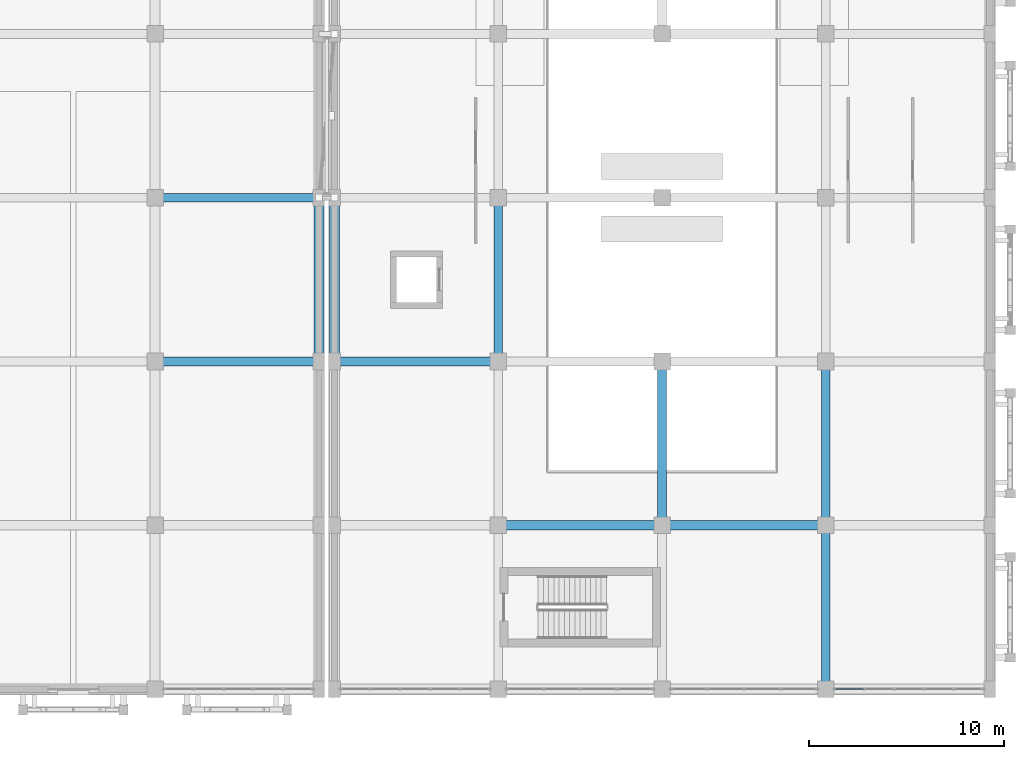
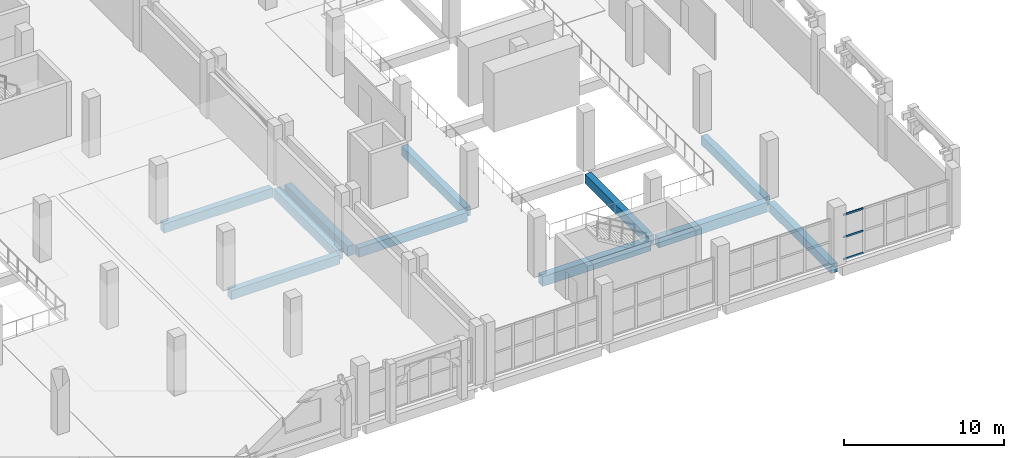
# One storey, part 34 of 137: 11 beams, 3 members, 1 element without a shape of its own.
"""IFC4 building model written with IfcOpenShell, lengths in metres."""

from ifc_helpers import new_model, si_unit, direction, frame, origin, origin_2d, place, context, subcontext, project, spatial, rectangle, hollow_rectangle, extrude, material, layer, layer_set, material_profile, profile_set, type_object, element, aggregate, save


model = new_model("IFC4")

# Units and contexts
model_context = context("Model", 3, precision=1e-05, world=origin(), true_north=direction((0.0, 1.0)))
body_context = subcontext(model_context, "Body", "Model", "MODEL_VIEW")
ifc_project = project(units=[si_unit("LENGTHUNIT", "METRE"), si_unit("AREAUNIT", "SQUARE_METRE"), si_unit("VOLUMEUNIT", "CUBIC_METRE"), si_unit("PLANEANGLEUNIT", "RADIAN"), si_unit("MASSUNIT", "GRAM", prefix="KILO")], contexts=[model_context])

# Site, building, storey
site_placement = place(None, origin())
site = spatial("IfcSite", under=ifc_project, at=site_placement, CompositionType="ELEMENT")
building_placement = place(site_placement, origin())
building = spatial("IfcBuilding", under=site, at=building_placement, Name="Xazarin Passage Department Store", CompositionType="ELEMENT")
storey_placement = place(building_placement, frame((0.0, 0.0, 5.39990234375)))
storey = spatial("IfcBuildingStorey", under=building, at=storey_placement, Name="L01", CompositionType="ELEMENT", Elevation=5.39990234375)

# Curtain wall, members
ifc_material_1 = material(Name="Bronze anodised aluminium", Category="aluminium")
ifc_layer = layer(ifc_material_1, 0.159912109375)
ifc_layer_set = layer_set([ifc_layer], Name="Bronze anodised aluminium")
curtain_wall_type = type_object("IfcCurtainWallType", Name="ARC-CW-ARC1", PredefinedType="NOTDEFINED", material=ifc_layer_set)
curtain_wall_placement = place(storey_placement, origin())
curtain_wall = element("IfcCurtainWall", 1, at=curtain_wall_placement, inside=storey, type_object=curtain_wall_type, Name="L01 V2S Curtain Wall 103", PredefinedType="NOTDEFINED")
ifc_material_profile_1 = material_profile(ifc_material_1, hollow_rectangle(XDim=0.06494140625, YDim=0.139892578125, WallThickness=0.00390625, at=origin_2d()), Name="ALU 65x140")
ifc_profile_set_1 = profile_set([ifc_material_profile_1], Name="Bronze anodised aluminium")
member_type = type_object("IfcMemberType", Name="ARC-CWT-65x140", PredefinedType="USERDEFINED", material=ifc_profile_set_1)
member_1_placement = place(storey_placement, frame((93.68994140625, 0.0, 0.03271484375), z_axis=(1.0, 0.0, 0.0), x_axis=(0.0, 1.0, 0.0)))
member_1 = element("IfcMember", 2, at=member_1_placement, type_object=member_type, Name="CW3 transom 1.1", ObjectType="TRANSOM", PredefinedType="USERDEFINED", context=body_context, shape_type="SweptSolid", body=[
    extrude(hollow_rectangle(XDim=0.06494140625, YDim=0.139892578125, WallThickness=0.00390625, at=origin_2d()), origin(), (0.0, 0.0, 1.0), 1.4375),
])
member_2_placement = place(storey_placement, frame((93.68994140625, 0.0, 1.72509765625), z_axis=(1.0, 0.0, 0.0), x_axis=(0.0, 1.0, 0.0)))
member_2 = element("IfcMember", 3, at=member_2_placement, type_object=member_type, Name="CW3 transom 1.2", ObjectType="TRANSOM", PredefinedType="USERDEFINED", context=body_context, shape_type="SweptSolid", body=[
    extrude(hollow_rectangle(XDim=0.06494140625, YDim=0.139892578125, WallThickness=0.00390625, at=origin_2d()), origin(), (0.0, 0.0, 1.0), 1.4375),
])
member_3_placement = place(storey_placement, frame((93.68994140625, 0.0, 3.41748046875), z_axis=(1.0, 0.0, 0.0), x_axis=(0.0, 1.0, 0.0)))
member_3 = element("IfcMember", 4, at=member_3_placement, type_object=member_type, Name="CW3 transom 1.3", ObjectType="TRANSOM", PredefinedType="USERDEFINED", context=body_context, shape_type="SweptSolid", body=[
    extrude(hollow_rectangle(XDim=0.06494140625, YDim=0.139892578125, WallThickness=0.00390625, at=origin_2d()), origin(), (0.0, 0.0, 1.0), 1.4375),
])
aggregate(curtain_wall, [member_1, member_2, member_3])

# Beams
ifc_material_2 = material(Name="Concrete C35/45", Category="concrete")
ifc_material_profile_2 = material_profile(ifc_material_2, rectangle(XDim=0.449951171875, YDim=0.699951171875, at=origin_2d()), Name="RC 450x700")
ifc_profile_set_2 = profile_set([ifc_material_profile_2], Name="Concrete C35/45")
beam_type_1 = type_object("IfcBeamType", Name="STR-BM-G450x700", PredefinedType="BEAM", material=ifc_profile_set_2)
beam_1_placement = place(storey_placement, frame((68.280029296875, 16.800048828125, -0.64990234375), z_axis=(1.0, 0.0, 0.0), x_axis=(0.0, 1.0, 0.0)))
element("IfcBeam", 5, at=beam_1_placement, inside=storey, type_object=beam_type_1, Name="L01 Grid Beam C/10-11", PredefinedType="BEAM", context=body_context, shape_type="SweptSolid", body=[
    extrude(rectangle(XDim=0.449951171875, YDim=0.699951171875, at=origin_2d()), origin(), (0.0, 0.0, 1.0), 7.840087890625),
])
beam_2_placement = place(storey_placement, frame((76.39990234375, 17.080078125, -0.64990234375), z_axis=(0.0, 1.0, 0.0), x_axis=(-1.0, 0.0, 0.0)))
element("IfcBeam", 6, at=beam_2_placement, inside=storey, type_object=beam_type_1, Name="L01 Grid Beam 11/C-D", PredefinedType="BEAM", context=body_context, shape_type="SweptSolid", body=[
    extrude(rectangle(XDim=0.449951171875, YDim=0.699951171875, at=origin_2d()), origin(), (0.0, 0.0, 1.0), 7.83984375),
])
for number, where, z_axis, x_axis, name in (
    (7, (84.800048828125, 8.679931640625, -0.64990234375), (0.0, 1.0, 0.0), (-1.0, 0.0, 0.0), "L01 Grid Beam 12/B-C"),
    (8, (93.199951171875, 0.280029296875, -0.64990234375), (0.0, 1.0, 0.0), (-1.0, 0.0, 0.0), "L01 Grid Beam 13/A-B"),
    (9, (93.199951171875, 8.679931640625, -0.64990234375), (0.0, 1.0, 0.0), (-1.0, 0.0, 0.0), "L01 Grid Beam 13/B-C"),
):
    element("IfcBeam", number, at=place(storey_placement, frame(where, z_axis=z_axis, x_axis=x_axis)), inside=storey, type_object=beam_type_1, Name=name, PredefinedType="BEAM", context=body_context, shape_type="SweptSolid", body=[
        extrude(rectangle(XDim=0.449951171875, YDim=0.699951171875, at=origin_2d()), origin(), (0.0, 0.0, 1.0), 7.840087890625),
    ])
for number, where, z_axis, x_axis, name in (
    (10, (59.080078125, 16.800048828125, -0.669921875), (1.0, 0.0, 0.0), (0.0, 1.0, 0.0), "L01 Grid Beam C/8-9"),
    (11, (59.080078125, 25.199951171875, -0.669921875), (1.0, 0.0, 0.0), (0.0, 1.0, 0.0), "L01 Grid Beam D/8-9"),
):
    element("IfcBeam", number, at=place(storey_placement, frame(where, z_axis=z_axis, x_axis=x_axis)), inside=storey, type_object=beam_type_1, Name=name, PredefinedType="BEAM", context=body_context, shape_type="SweptSolid", body=[
        extrude(rectangle(XDim=0.449951171875, YDim=0.699951171875, at=origin_2d()), origin(), (0.0, 0.0, 1.0), 7.83984375),
    ])
ifc_material_profile_3 = material_profile(ifc_material_2, rectangle(XDim=0.5, YDim=0.75, at=origin_2d()), Name="RC 500x750")
ifc_profile_set_3 = profile_set([ifc_material_profile_3], Name="Concrete C35/45")
beam_type_2 = type_object("IfcBeamType", Name="STR-BM-SP500x750", PredefinedType="SPANDREL", material=ifc_profile_set_3)
beam_3_placement = place(storey_placement, frame((76.679931640625, 8.39990234375, -0.6748046875), z_axis=(1.0, 0.0, 0.0), x_axis=(0.0, 1.0, 0.0)))
element("IfcBeam", 12, at=beam_3_placement, inside=storey, type_object=beam_type_2, Name="L01 Grid Beam B/11-12", PredefinedType="SPANDREL", context=body_context, shape_type="SweptSolid", body=[
    extrude(rectangle(XDim=0.5, YDim=0.75, at=origin_2d()), origin(), (0.0, 0.0, 1.0), 7.840087890625),
])
for number, where, z_axis, x_axis, name in (
    (13, (85.080078125, 8.39990234375, -0.6748046875), (1.0, 0.0, 0.0), (0.0, 1.0, 0.0), "L01 Grid Beam B/12-13"),
    (14, (68.0, 17.080078125, -0.6748046875), (0.0, 1.0, 0.0), (-1.0, 0.0, 0.0), "L01 Grid Beam 10/C-D"),
    (15, (67.199951171875, 17.080078125, -0.69482421875), (0.0, 1.0, 0.0), (-1.0, 0.0, 0.0), "L01 Grid Beam 9/C-D"),
):
    element("IfcBeam", number, at=place(storey_placement, frame(where, z_axis=z_axis, x_axis=x_axis)), inside=storey, type_object=beam_type_2, Name=name, PredefinedType="SPANDREL", context=body_context, shape_type="SweptSolid", body=[
        extrude(rectangle(XDim=0.5, YDim=0.75, at=origin_2d()), origin(), (0.0, 0.0, 1.0), 7.83984375),
    ])

save(model, "model.ifc")
